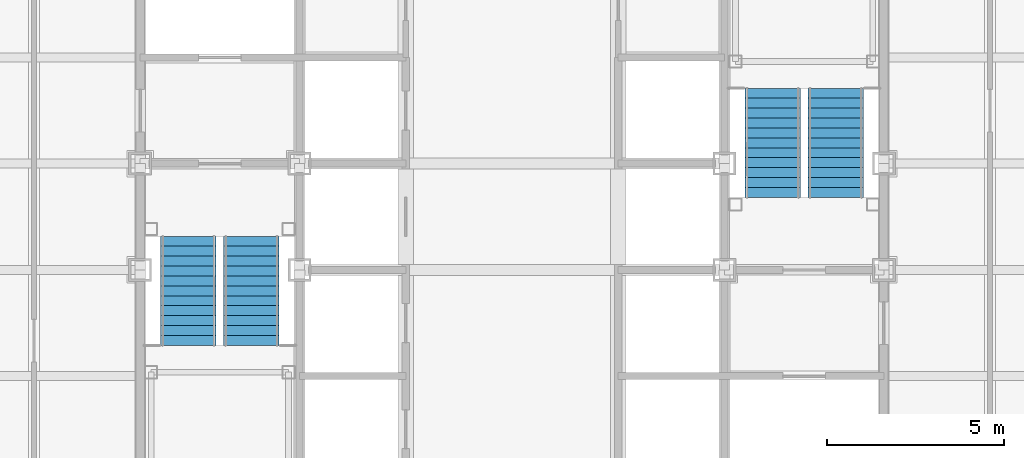
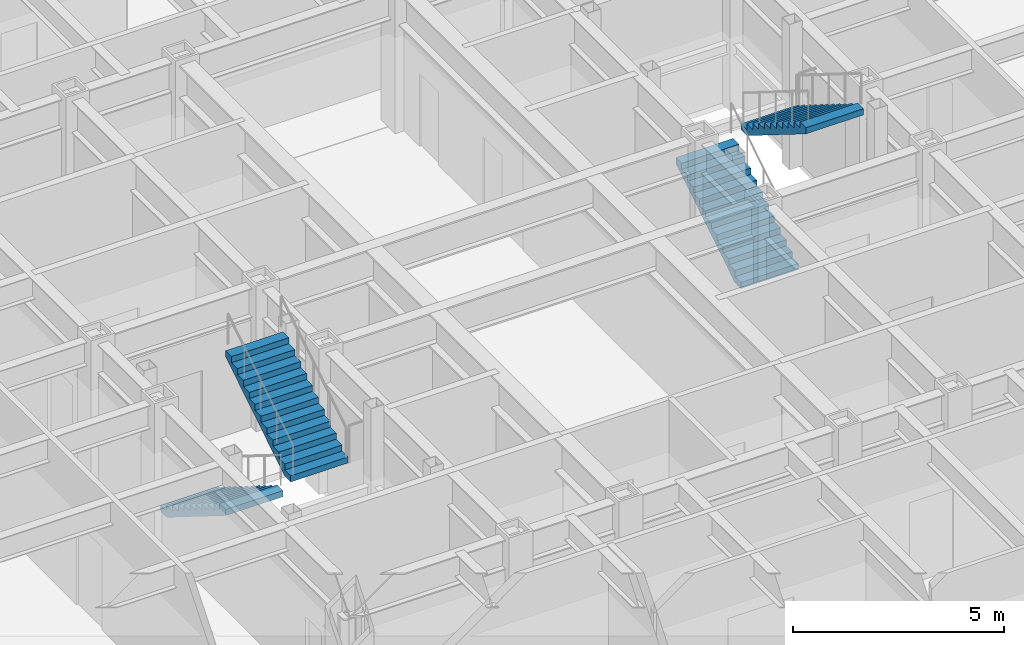
# One storey, part 13 of 16: 4 stair flights, 2 elements without a shape of their own.
"""IFC4 building model written with IfcOpenShell, lengths in metres."""

from ifc_helpers import new_model, si_unit, direction, frame, origin, place, context, subcontext, project, spatial, faceted_brep, material, type_object, element, aggregate, save


model = new_model("IFC4")

# Units and contexts
model_context = context("Model", 3, precision=1e-05, world=origin(), true_north=direction((0.0, 1.0)))
body_context = subcontext(model_context, "Body", "Model", "MODEL_VIEW")
ifc_project = project(units=[si_unit("LENGTHUNIT", "METRE"), si_unit("AREAUNIT", "SQUARE_METRE"), si_unit("VOLUMEUNIT", "CUBIC_METRE"), si_unit("PLANEANGLEUNIT", "RADIAN"), si_unit("MASSUNIT", "GRAM", prefix="KILO")], contexts=[model_context])

# Site, building, storey
site_placement = place(None, origin())
site = spatial("IfcSite", under=ifc_project, at=site_placement, CompositionType="ELEMENT")
building_placement = place(site_placement, origin())
building = spatial("IfcBuilding", under=site, at=building_placement, Name="Chuquiago Exchange Tower", CompositionType="ELEMENT")
storey_placement = place(building_placement, frame((0.0, 0.0, 148.800048828125)))
storey = spatial("IfcBuildingStorey", under=building, at=storey_placement, Name="L32", CompositionType="ELEMENT", Elevation=148.800048828125)

# Stair, stair flights
ifc_material_1 = material(Name="Concrete C30/37, precast", Category="concrete")
stair_type_1 = type_object("IfcStairType", Name="ST1 half-turn stair 4200", PredefinedType="HALF_TURN_STAIR", material=ifc_material_1)
stair_1_placement = place(storey_placement, origin())
stair_1 = element("IfcStair", 1, at=stair_1_placement, inside=storey, type_object=stair_type_1, Name="Stair ST1 L32", PredefinedType="HALF_TURN_STAIR")
ifc_material_2 = material(Name="Concrete C30/37, precast", Category="concrete")
stair_flight_type = type_object("IfcStairFlightType", Name="ST-F flight 1570 for 4200 storey", PredefinedType="STRAIGHT", material=ifc_material_2)
stair_flight_1_placement = place(storey_placement, frame((13.360107421875, 21.949951171875, 0.0), z_axis=(0.0, 0.0, 1.0), x_axis=(0.0, -1.0, 0.0)))
stair_flight_1 = element("IfcStairFlight", 2, at=stair_flight_1_placement, type_object=stair_flight_type, Name="ST1 flight 1", NumberOfRisers=12, NumberOfTreads=11, PredefinedType="STRAIGHT", RiserHeight=0.175, TreadLength=0.28, context=body_context, shape_type="Brep", body=[
    faceted_brep([(0.0, 0.78515625, 0.0), (0.0, 0.78515625, 0.175048828125), (0.280029296875, 0.78515625, 0.175048828125), (0.280029296875, 0.78515625, 0.35009765625), (0.56005859375, 0.78515625, 0.35009765625), (0.56005859375, 0.78515625, 0.52490234375), (0.840087890625, 0.78515625, 0.52490234375), (0.840087890625, 0.78515625, 0.699951171875), (1.1201171875, 0.78515625, 0.699951171875), (1.1201171875, 0.78515625, 0.875), (1.39990234375, 0.78515625, 0.875), (1.39990234375, 0.78515625, 1.050048828125), (1.679931640625, 0.78515625, 1.050048828125), (1.679931640625, 0.78515625, 1.22509765625), (1.9599609375, 0.78515625, 1.22509765625), (1.9599609375, 0.78515625, 1.39990234375), (2.239990234375, 0.78515625, 1.39990234375), (2.239990234375, 0.78515625, 1.574951171875), (2.52001953125, 0.78515625, 1.574951171875), (2.52001953125, 0.78515625, 1.75), (2.800048828125, 0.78515625, 1.75), (2.800048828125, 0.78515625, 1.925048828125), (3.080078125, 0.78515625, 1.925048828125), (3.080078125, 0.78515625, 1.748291015625), (0.28271484375, 0.78515625, 0.0), (0.28271484375, -0.78515625, 0.0), (3.080078125, -0.78515625, 1.748291015625), (3.080078125, -0.78515625, 1.925048828125), (2.800048828125, -0.78515625, 1.925048828125), (2.800048828125, -0.78515625, 1.75), (2.52001953125, -0.78515625, 1.75), (2.52001953125, -0.78515625, 1.574951171875), (2.239990234375, -0.78515625, 1.574951171875), (2.239990234375, -0.78515625, 1.39990234375), (1.9599609375, -0.78515625, 1.39990234375), (1.9599609375, -0.78515625, 1.22509765625), (1.679931640625, -0.78515625, 1.22509765625), (1.679931640625, -0.78515625, 1.050048828125), (1.39990234375, -0.78515625, 1.050048828125), (1.39990234375, -0.78515625, 0.875), (1.1201171875, -0.78515625, 0.875), (1.1201171875, -0.78515625, 0.699951171875), (0.840087890625, -0.78515625, 0.699951171875), (0.840087890625, -0.78515625, 0.52490234375), (0.56005859375, -0.78515625, 0.52490234375), (0.56005859375, -0.78515625, 0.35009765625), (0.280029296875, -0.78515625, 0.35009765625), (0.280029296875, -0.78515625, 0.175048828125), (0.0, -0.78515625, 0.175048828125), (0.0, -0.78515625, 0.0), (0.0, 0.392578125, 0.0), (0.0, 0.392578125, 0.175048828125), (0.0, 0.0, 0.0), (0.0, 0.0, 0.175048828125), (0.0, -0.392578125, 0.0), (0.0, -0.392578125, 0.175048828125), (0.280029296875, 0.392578125, 0.175048828125), (0.280029296875, 0.0, 0.175048828125), (0.280029296875, -0.392578125, 0.175048828125), (0.280029296875, 0.392578125, 0.35009765625), (0.280029296875, 0.0, 0.35009765625), (0.280029296875, -0.392578125, 0.35009765625), (0.56005859375, 0.392578125, 0.35009765625), (0.56005859375, 0.0, 0.35009765625), (0.56005859375, -0.392578125, 0.35009765625), (0.56005859375, 0.392578125, 0.52490234375), (0.56005859375, 0.0, 0.52490234375), (0.56005859375, -0.392578125, 0.52490234375), (0.840087890625, 0.392578125, 0.52490234375), (0.840087890625, 0.0, 0.52490234375), (0.840087890625, -0.392578125, 0.52490234375), (0.840087890625, 0.392578125, 0.699951171875), (0.840087890625, 0.0, 0.699951171875), (0.840087890625, -0.392578125, 0.699951171875), (1.1201171875, 0.392578125, 0.699951171875), (1.1201171875, 0.0, 0.699951171875), (1.1201171875, -0.392578125, 0.699951171875), (1.1201171875, 0.392578125, 0.875), (1.1201171875, 0.0, 0.875), (1.1201171875, -0.392578125, 0.875), (1.39990234375, 0.392578125, 0.875), (1.39990234375, 0.0, 0.875), (1.39990234375, -0.392578125, 0.875), (1.39990234375, 0.392578125, 1.050048828125), (1.39990234375, 0.0, 1.050048828125), (1.39990234375, -0.392578125, 1.050048828125), (1.679931640625, 0.392578125, 1.050048828125), (1.679931640625, 0.0, 1.050048828125), (1.679931640625, -0.392578125, 1.050048828125), (1.679931640625, 0.392578125, 1.22509765625), (1.679931640625, 0.0, 1.22509765625), (1.679931640625, -0.392578125, 1.22509765625), (1.9599609375, 0.392578125, 1.22509765625), (1.9599609375, 0.0, 1.22509765625), (1.9599609375, -0.392578125, 1.22509765625), (1.9599609375, 0.392578125, 1.39990234375), (1.9599609375, 0.0, 1.39990234375), (1.9599609375, -0.392578125, 1.39990234375), (2.239990234375, 0.392578125, 1.39990234375), (2.239990234375, 0.0, 1.39990234375), (2.239990234375, -0.392578125, 1.39990234375), (2.239990234375, 0.392578125, 1.574951171875), (2.239990234375, 0.0, 1.574951171875), (2.239990234375, -0.392578125, 1.574951171875), (2.52001953125, 0.392578125, 1.574951171875), (2.52001953125, 0.0, 1.574951171875), (2.52001953125, -0.392578125, 1.574951171875), (2.52001953125, 0.392578125, 1.75), (2.52001953125, 0.0, 1.75), (2.52001953125, -0.392578125, 1.75), (2.800048828125, 0.392578125, 1.75), (2.800048828125, 0.0, 1.75), (2.800048828125, -0.392578125, 1.75), (2.800048828125, 0.392578125, 1.925048828125), (2.800048828125, 0.0, 1.925048828125), (2.800048828125, -0.392578125, 1.925048828125), (3.080078125, 0.392578125, 1.925048828125), (3.080078125, 0.0, 1.925048828125), (3.080078125, -0.392578125, 1.925048828125), (3.080078125, 0.392578125, 1.748291015625), (3.080078125, 0.0, 1.748291015625), (3.080078125, -0.392578125, 1.748291015625), (0.28271484375, 0.392578125, 0.0), (0.28271484375, 0.0, 0.0), (0.28271484375, -0.392578125, 0.0)], [[[0, 1, 2, 3, 4, 5, 6, 7, 8, 9, 10, 11, 12, 13, 14, 15, 16, 17, 18, 19, 20, 21, 22, 23, 24]], [[25, 26, 27, 28, 29, 30, 31, 32, 33, 34, 35, 36, 37, 38, 39, 40, 41, 42, 43, 44, 45, 46, 47, 48, 49]], [[1, 0, 50, 51]], [[51, 50, 52, 53]], [[53, 52, 54, 55]], [[55, 54, 49, 48]], [[2, 1, 51, 56]], [[56, 51, 53, 57]], [[57, 53, 55, 58]], [[58, 55, 48, 47]], [[3, 2, 56, 59]], [[59, 56, 57, 60]], [[60, 57, 58, 61]], [[61, 58, 47, 46]], [[4, 3, 59, 62]], [[62, 59, 60, 63]], [[63, 60, 61, 64]], [[64, 61, 46, 45]], [[5, 4, 62, 65]], [[65, 62, 63, 66]], [[66, 63, 64, 67]], [[67, 64, 45, 44]], [[6, 5, 65, 68]], [[68, 65, 66, 69]], [[69, 66, 67, 70]], [[70, 67, 44, 43]], [[7, 6, 68, 71]], [[71, 68, 69, 72]], [[72, 69, 70, 73]], [[73, 70, 43, 42]], [[8, 7, 71, 74]], [[74, 71, 72, 75]], [[75, 72, 73, 76]], [[76, 73, 42, 41]], [[9, 8, 74, 77]], [[77, 74, 75, 78]], [[78, 75, 76, 79]], [[79, 76, 41, 40]], [[10, 9, 77, 80]], [[80, 77, 78, 81]], [[81, 78, 79, 82]], [[82, 79, 40, 39]], [[11, 10, 80, 83]], [[83, 80, 81, 84]], [[84, 81, 82, 85]], [[85, 82, 39, 38]], [[12, 11, 83, 86]], [[86, 83, 84, 87]], [[87, 84, 85, 88]], [[88, 85, 38, 37]], [[13, 12, 86, 89]], [[89, 86, 87, 90]], [[90, 87, 88, 91]], [[91, 88, 37, 36]], [[14, 13, 89, 92]], [[92, 89, 90, 93]], [[93, 90, 91, 94]], [[94, 91, 36, 35]], [[15, 14, 92, 95]], [[95, 92, 93, 96]], [[96, 93, 94, 97]], [[97, 94, 35, 34]], [[16, 15, 95, 98]], [[98, 95, 96, 99]], [[99, 96, 97, 100]], [[100, 97, 34, 33]], [[17, 16, 98, 101]], [[101, 98, 99, 102]], [[102, 99, 100, 103]], [[103, 100, 33, 32]], [[18, 17, 101, 104]], [[104, 101, 102, 105]], [[105, 102, 103, 106]], [[106, 103, 32, 31]], [[19, 18, 104, 107]], [[107, 104, 105, 108]], [[108, 105, 106, 109]], [[109, 106, 31, 30]], [[20, 19, 107, 110]], [[110, 107, 108, 111]], [[111, 108, 109, 112]], [[112, 109, 30, 29]], [[21, 20, 110, 113]], [[113, 110, 111, 114]], [[114, 111, 112, 115]], [[115, 112, 29, 28]], [[22, 21, 113, 116]], [[116, 113, 114, 117]], [[117, 114, 115, 118]], [[118, 115, 28, 27]], [[23, 22, 116, 119]], [[119, 116, 117, 120]], [[120, 117, 118, 121]], [[121, 118, 27, 26]], [[24, 23, 119, 122]], [[122, 119, 120, 123]], [[123, 120, 121, 124]], [[124, 121, 26, 25]], [[0, 24, 122, 50]], [[50, 122, 123, 52]], [[52, 123, 124, 54]], [[54, 124, 25, 49]]]),
])
stair_flight_2_placement = place(storey_placement, frame((15.139892578125, 18.8701171875, 2.099853515625), z_axis=(0.0, 0.0, 1.0), x_axis=(0.0, 1.0, 0.0)))
stair_flight_2 = element("IfcStairFlight", 3, at=stair_flight_2_placement, type_object=stair_flight_type, Name="ST1 flight 2", NumberOfRisers=12, NumberOfTreads=11, PredefinedType="STRAIGHT", RiserHeight=0.175, TreadLength=0.28, context=body_context, shape_type="Brep", body=[
    faceted_brep([(0.0, 0.78515625, 0.0), (0.0, 0.78515625, 0.175048828125), (0.280029296875, 0.78515625, 0.175048828125), (0.280029296875, 0.78515625, 0.35009765625), (0.56005859375, 0.78515625, 0.35009765625), (0.56005859375, 0.78515625, 0.52490234375), (0.840087890625, 0.78515625, 0.52490234375), (0.840087890625, 0.78515625, 0.699951171875), (1.1201171875, 0.78515625, 0.699951171875), (1.1201171875, 0.78515625, 0.875), (1.39990234375, 0.78515625, 0.875), (1.39990234375, 0.78515625, 1.050048828125), (1.679931640625, 0.78515625, 1.050048828125), (1.679931640625, 0.78515625, 1.22509765625), (1.9599609375, 0.78515625, 1.22509765625), (1.9599609375, 0.78515625, 1.39990234375), (2.239990234375, 0.78515625, 1.39990234375), (2.239990234375, 0.78515625, 1.574951171875), (2.52001953125, 0.78515625, 1.574951171875), (2.52001953125, 0.78515625, 1.75), (2.800048828125, 0.78515625, 1.75), (2.800048828125, 0.78515625, 1.925048828125), (3.080078125, 0.78515625, 1.925048828125), (3.080078125, 0.78515625, 1.748291015625), (0.28271484375, 0.78515625, 0.0), (0.28271484375, -0.78515625, 0.0), (3.080078125, -0.78515625, 1.748291015625), (3.080078125, -0.78515625, 1.925048828125), (2.800048828125, -0.78515625, 1.925048828125), (2.800048828125, -0.78515625, 1.75), (2.52001953125, -0.78515625, 1.75), (2.52001953125, -0.78515625, 1.574951171875), (2.239990234375, -0.78515625, 1.574951171875), (2.239990234375, -0.78515625, 1.39990234375), (1.9599609375, -0.78515625, 1.39990234375), (1.9599609375, -0.78515625, 1.22509765625), (1.679931640625, -0.78515625, 1.22509765625), (1.679931640625, -0.78515625, 1.050048828125), (1.39990234375, -0.78515625, 1.050048828125), (1.39990234375, -0.78515625, 0.875), (1.1201171875, -0.78515625, 0.875), (1.1201171875, -0.78515625, 0.699951171875), (0.840087890625, -0.78515625, 0.699951171875), (0.840087890625, -0.78515625, 0.52490234375), (0.56005859375, -0.78515625, 0.52490234375), (0.56005859375, -0.78515625, 0.35009765625), (0.280029296875, -0.78515625, 0.35009765625), (0.280029296875, -0.78515625, 0.175048828125), (0.0, -0.78515625, 0.175048828125), (0.0, -0.78515625, 0.0), (0.0, 0.392578125, 0.0), (0.0, 0.392578125, 0.175048828125), (0.0, 0.0, 0.0), (0.0, 0.0, 0.175048828125), (0.0, -0.392578125, 0.0), (0.0, -0.392578125, 0.175048828125), (0.280029296875, 0.392578125, 0.175048828125), (0.280029296875, 0.0, 0.175048828125), (0.280029296875, -0.392578125, 0.175048828125), (0.280029296875, 0.392578125, 0.35009765625), (0.280029296875, 0.0, 0.35009765625), (0.280029296875, -0.392578125, 0.35009765625), (0.56005859375, 0.392578125, 0.35009765625), (0.56005859375, 0.0, 0.35009765625), (0.56005859375, -0.392578125, 0.35009765625), (0.56005859375, 0.392578125, 0.52490234375), (0.56005859375, 0.0, 0.52490234375), (0.56005859375, -0.392578125, 0.52490234375), (0.840087890625, 0.392578125, 0.52490234375), (0.840087890625, 0.0, 0.52490234375), (0.840087890625, -0.392578125, 0.52490234375), (0.840087890625, 0.392578125, 0.699951171875), (0.840087890625, 0.0, 0.699951171875), (0.840087890625, -0.392578125, 0.699951171875), (1.1201171875, 0.392578125, 0.699951171875), (1.1201171875, 0.0, 0.699951171875), (1.1201171875, -0.392578125, 0.699951171875), (1.1201171875, 0.392578125, 0.875), (1.1201171875, 0.0, 0.875), (1.1201171875, -0.392578125, 0.875), (1.39990234375, 0.392578125, 0.875), (1.39990234375, 0.0, 0.875), (1.39990234375, -0.392578125, 0.875), (1.39990234375, 0.392578125, 1.050048828125), (1.39990234375, 0.0, 1.050048828125), (1.39990234375, -0.392578125, 1.050048828125), (1.679931640625, 0.392578125, 1.050048828125), (1.679931640625, 0.0, 1.050048828125), (1.679931640625, -0.392578125, 1.050048828125), (1.679931640625, 0.392578125, 1.22509765625), (1.679931640625, 0.0, 1.22509765625), (1.679931640625, -0.392578125, 1.22509765625), (1.9599609375, 0.392578125, 1.22509765625), (1.9599609375, 0.0, 1.22509765625), (1.9599609375, -0.392578125, 1.22509765625), (1.9599609375, 0.392578125, 1.39990234375), (1.9599609375, 0.0, 1.39990234375), (1.9599609375, -0.392578125, 1.39990234375), (2.239990234375, 0.392578125, 1.39990234375), (2.239990234375, 0.0, 1.39990234375), (2.239990234375, -0.392578125, 1.39990234375), (2.239990234375, 0.392578125, 1.574951171875), (2.239990234375, 0.0, 1.574951171875), (2.239990234375, -0.392578125, 1.574951171875), (2.52001953125, 0.392578125, 1.574951171875), (2.52001953125, 0.0, 1.574951171875), (2.52001953125, -0.392578125, 1.574951171875), (2.52001953125, 0.392578125, 1.75), (2.52001953125, 0.0, 1.75), (2.52001953125, -0.392578125, 1.75), (2.800048828125, 0.392578125, 1.75), (2.800048828125, 0.0, 1.75), (2.800048828125, -0.392578125, 1.75), (2.800048828125, 0.392578125, 1.925048828125), (2.800048828125, 0.0, 1.925048828125), (2.800048828125, -0.392578125, 1.925048828125), (3.080078125, 0.392578125, 1.925048828125), (3.080078125, 0.0, 1.925048828125), (3.080078125, -0.392578125, 1.925048828125), (3.080078125, 0.392578125, 1.748291015625), (3.080078125, 0.0, 1.748291015625), (3.080078125, -0.392578125, 1.748291015625), (0.28271484375, 0.392578125, 0.0), (0.28271484375, 0.0, 0.0), (0.28271484375, -0.392578125, 0.0)], [[[0, 1, 2, 3, 4, 5, 6, 7, 8, 9, 10, 11, 12, 13, 14, 15, 16, 17, 18, 19, 20, 21, 22, 23, 24]], [[25, 26, 27, 28, 29, 30, 31, 32, 33, 34, 35, 36, 37, 38, 39, 40, 41, 42, 43, 44, 45, 46, 47, 48, 49]], [[1, 0, 50, 51]], [[51, 50, 52, 53]], [[53, 52, 54, 55]], [[55, 54, 49, 48]], [[2, 1, 51, 56]], [[56, 51, 53, 57]], [[57, 53, 55, 58]], [[58, 55, 48, 47]], [[3, 2, 56, 59]], [[59, 56, 57, 60]], [[60, 57, 58, 61]], [[61, 58, 47, 46]], [[4, 3, 59, 62]], [[62, 59, 60, 63]], [[63, 60, 61, 64]], [[64, 61, 46, 45]], [[5, 4, 62, 65]], [[65, 62, 63, 66]], [[66, 63, 64, 67]], [[67, 64, 45, 44]], [[6, 5, 65, 68]], [[68, 65, 66, 69]], [[69, 66, 67, 70]], [[70, 67, 44, 43]], [[7, 6, 68, 71]], [[71, 68, 69, 72]], [[72, 69, 70, 73]], [[73, 70, 43, 42]], [[8, 7, 71, 74]], [[74, 71, 72, 75]], [[75, 72, 73, 76]], [[76, 73, 42, 41]], [[9, 8, 74, 77]], [[77, 74, 75, 78]], [[78, 75, 76, 79]], [[79, 76, 41, 40]], [[10, 9, 77, 80]], [[80, 77, 78, 81]], [[81, 78, 79, 82]], [[82, 79, 40, 39]], [[11, 10, 80, 83]], [[83, 80, 81, 84]], [[84, 81, 82, 85]], [[85, 82, 39, 38]], [[12, 11, 83, 86]], [[86, 83, 84, 87]], [[87, 84, 85, 88]], [[88, 85, 38, 37]], [[13, 12, 86, 89]], [[89, 86, 87, 90]], [[90, 87, 88, 91]], [[91, 88, 37, 36]], [[14, 13, 89, 92]], [[92, 89, 90, 93]], [[93, 90, 91, 94]], [[94, 91, 36, 35]], [[15, 14, 92, 95]], [[95, 92, 93, 96]], [[96, 93, 94, 97]], [[97, 94, 35, 34]], [[16, 15, 95, 98]], [[98, 95, 96, 99]], [[99, 96, 97, 100]], [[100, 97, 34, 33]], [[17, 16, 98, 101]], [[101, 98, 99, 102]], [[102, 99, 100, 103]], [[103, 100, 33, 32]], [[18, 17, 101, 104]], [[104, 101, 102, 105]], [[105, 102, 103, 106]], [[106, 103, 32, 31]], [[19, 18, 104, 107]], [[107, 104, 105, 108]], [[108, 105, 106, 109]], [[109, 106, 31, 30]], [[20, 19, 107, 110]], [[110, 107, 108, 111]], [[111, 108, 109, 112]], [[112, 109, 30, 29]], [[21, 20, 110, 113]], [[113, 110, 111, 114]], [[114, 111, 112, 115]], [[115, 112, 29, 28]], [[22, 21, 113, 116]], [[116, 113, 114, 117]], [[117, 114, 115, 118]], [[118, 115, 28, 27]], [[23, 22, 116, 119]], [[119, 116, 117, 120]], [[120, 117, 118, 121]], [[121, 118, 27, 26]], [[24, 23, 119, 122]], [[122, 119, 120, 123]], [[123, 120, 121, 124]], [[124, 121, 26, 25]], [[0, 24, 122, 50]], [[50, 122, 123, 52]], [[52, 123, 124, 54]], [[54, 124, 25, 49]]]),
])
aggregate(stair_1, [stair_flight_1, stair_flight_2])

ifc_material_3 = material(Name="Concrete C30/37, precast", Category="concrete")
stair_type_2 = type_object("IfcStairType", Name="ST2 half-turn stair 4200", PredefinedType="HALF_TURN_STAIR", material=ifc_material_3)
stair_2_placement = place(storey_placement, origin())
stair_2 = element("IfcStair", 4, at=stair_2_placement, inside=storey, type_object=stair_type_2, Name="Stair ST2 L32", PredefinedType="HALF_TURN_STAIR")
stair_flight_3_placement = place(storey_placement, frame((29.860107421875, 23.050048828125, 0.0), z_axis=(0.0, 0.0, 1.0), x_axis=(0.0, 1.0, 0.0)))
stair_flight_3 = element("IfcStairFlight", 5, at=stair_flight_3_placement, type_object=stair_flight_type, Name="ST2 flight 1", NumberOfRisers=12, NumberOfTreads=11, PredefinedType="STRAIGHT", RiserHeight=0.175, TreadLength=0.28, context=body_context, shape_type="Brep", body=[
    faceted_brep([(0.0, 0.78515625, 0.0), (0.0, 0.78515625, 0.175048828125), (0.280029296875, 0.78515625, 0.175048828125), (0.280029296875, 0.78515625, 0.35009765625), (0.56005859375, 0.78515625, 0.35009765625), (0.56005859375, 0.78515625, 0.52490234375), (0.840087890625, 0.78515625, 0.52490234375), (0.840087890625, 0.78515625, 0.699951171875), (1.1201171875, 0.78515625, 0.699951171875), (1.1201171875, 0.78515625, 0.875), (1.39990234375, 0.78515625, 0.875), (1.39990234375, 0.78515625, 1.050048828125), (1.679931640625, 0.78515625, 1.050048828125), (1.679931640625, 0.78515625, 1.22509765625), (1.9599609375, 0.78515625, 1.22509765625), (1.9599609375, 0.78515625, 1.39990234375), (2.239990234375, 0.78515625, 1.39990234375), (2.239990234375, 0.78515625, 1.574951171875), (2.52001953125, 0.78515625, 1.574951171875), (2.52001953125, 0.78515625, 1.75), (2.800048828125, 0.78515625, 1.75), (2.800048828125, 0.78515625, 1.925048828125), (3.080078125, 0.78515625, 1.925048828125), (3.080078125, 0.78515625, 1.748291015625), (0.28271484375, 0.78515625, 0.0), (0.28271484375, -0.78515625, 0.0), (3.080078125, -0.78515625, 1.748291015625), (3.080078125, -0.78515625, 1.925048828125), (2.800048828125, -0.78515625, 1.925048828125), (2.800048828125, -0.78515625, 1.75), (2.52001953125, -0.78515625, 1.75), (2.52001953125, -0.78515625, 1.574951171875), (2.239990234375, -0.78515625, 1.574951171875), (2.239990234375, -0.78515625, 1.39990234375), (1.9599609375, -0.78515625, 1.39990234375), (1.9599609375, -0.78515625, 1.22509765625), (1.679931640625, -0.78515625, 1.22509765625), (1.679931640625, -0.78515625, 1.050048828125), (1.39990234375, -0.78515625, 1.050048828125), (1.39990234375, -0.78515625, 0.875), (1.1201171875, -0.78515625, 0.875), (1.1201171875, -0.78515625, 0.699951171875), (0.840087890625, -0.78515625, 0.699951171875), (0.840087890625, -0.78515625, 0.52490234375), (0.56005859375, -0.78515625, 0.52490234375), (0.56005859375, -0.78515625, 0.35009765625), (0.280029296875, -0.78515625, 0.35009765625), (0.280029296875, -0.78515625, 0.175048828125), (0.0, -0.78515625, 0.175048828125), (0.0, -0.78515625, 0.0), (0.0, 0.392578125, 0.0), (0.0, 0.392578125, 0.175048828125), (0.0, 0.0, 0.0), (0.0, 0.0, 0.175048828125), (0.0, -0.392578125, 0.0), (0.0, -0.392578125, 0.175048828125), (0.280029296875, 0.392578125, 0.175048828125), (0.280029296875, 0.0, 0.175048828125), (0.280029296875, -0.392578125, 0.175048828125), (0.280029296875, 0.392578125, 0.35009765625), (0.280029296875, 0.0, 0.35009765625), (0.280029296875, -0.392578125, 0.35009765625), (0.56005859375, 0.392578125, 0.35009765625), (0.56005859375, 0.0, 0.35009765625), (0.56005859375, -0.392578125, 0.35009765625), (0.56005859375, 0.392578125, 0.52490234375), (0.56005859375, 0.0, 0.52490234375), (0.56005859375, -0.392578125, 0.52490234375), (0.840087890625, 0.392578125, 0.52490234375), (0.840087890625, 0.0, 0.52490234375), (0.840087890625, -0.392578125, 0.52490234375), (0.840087890625, 0.392578125, 0.699951171875), (0.840087890625, 0.0, 0.699951171875), (0.840087890625, -0.392578125, 0.699951171875), (1.1201171875, 0.392578125, 0.699951171875), (1.1201171875, 0.0, 0.699951171875), (1.1201171875, -0.392578125, 0.699951171875), (1.1201171875, 0.392578125, 0.875), (1.1201171875, 0.0, 0.875), (1.1201171875, -0.392578125, 0.875), (1.39990234375, 0.392578125, 0.875), (1.39990234375, 0.0, 0.875), (1.39990234375, -0.392578125, 0.875), (1.39990234375, 0.392578125, 1.050048828125), (1.39990234375, 0.0, 1.050048828125), (1.39990234375, -0.392578125, 1.050048828125), (1.679931640625, 0.392578125, 1.050048828125), (1.679931640625, 0.0, 1.050048828125), (1.679931640625, -0.392578125, 1.050048828125), (1.679931640625, 0.392578125, 1.22509765625), (1.679931640625, 0.0, 1.22509765625), (1.679931640625, -0.392578125, 1.22509765625), (1.9599609375, 0.392578125, 1.22509765625), (1.9599609375, 0.0, 1.22509765625), (1.9599609375, -0.392578125, 1.22509765625), (1.9599609375, 0.392578125, 1.39990234375), (1.9599609375, 0.0, 1.39990234375), (1.9599609375, -0.392578125, 1.39990234375), (2.239990234375, 0.392578125, 1.39990234375), (2.239990234375, 0.0, 1.39990234375), (2.239990234375, -0.392578125, 1.39990234375), (2.239990234375, 0.392578125, 1.574951171875), (2.239990234375, 0.0, 1.574951171875), (2.239990234375, -0.392578125, 1.574951171875), (2.52001953125, 0.392578125, 1.574951171875), (2.52001953125, 0.0, 1.574951171875), (2.52001953125, -0.392578125, 1.574951171875), (2.52001953125, 0.392578125, 1.75), (2.52001953125, 0.0, 1.75), (2.52001953125, -0.392578125, 1.75), (2.800048828125, 0.392578125, 1.75), (2.800048828125, 0.0, 1.75), (2.800048828125, -0.392578125, 1.75), (2.800048828125, 0.392578125, 1.925048828125), (2.800048828125, 0.0, 1.925048828125), (2.800048828125, -0.392578125, 1.925048828125), (3.080078125, 0.392578125, 1.925048828125), (3.080078125, 0.0, 1.925048828125), (3.080078125, -0.392578125, 1.925048828125), (3.080078125, 0.392578125, 1.748291015625), (3.080078125, 0.0, 1.748291015625), (3.080078125, -0.392578125, 1.748291015625), (0.28271484375, 0.392578125, 0.0), (0.28271484375, 0.0, 0.0), (0.28271484375, -0.392578125, 0.0)], [[[0, 1, 2, 3, 4, 5, 6, 7, 8, 9, 10, 11, 12, 13, 14, 15, 16, 17, 18, 19, 20, 21, 22, 23, 24]], [[25, 26, 27, 28, 29, 30, 31, 32, 33, 34, 35, 36, 37, 38, 39, 40, 41, 42, 43, 44, 45, 46, 47, 48, 49]], [[1, 0, 50, 51]], [[51, 50, 52, 53]], [[53, 52, 54, 55]], [[55, 54, 49, 48]], [[2, 1, 51, 56]], [[56, 51, 53, 57]], [[57, 53, 55, 58]], [[58, 55, 48, 47]], [[3, 2, 56, 59]], [[59, 56, 57, 60]], [[60, 57, 58, 61]], [[61, 58, 47, 46]], [[4, 3, 59, 62]], [[62, 59, 60, 63]], [[63, 60, 61, 64]], [[64, 61, 46, 45]], [[5, 4, 62, 65]], [[65, 62, 63, 66]], [[66, 63, 64, 67]], [[67, 64, 45, 44]], [[6, 5, 65, 68]], [[68, 65, 66, 69]], [[69, 66, 67, 70]], [[70, 67, 44, 43]], [[7, 6, 68, 71]], [[71, 68, 69, 72]], [[72, 69, 70, 73]], [[73, 70, 43, 42]], [[8, 7, 71, 74]], [[74, 71, 72, 75]], [[75, 72, 73, 76]], [[76, 73, 42, 41]], [[9, 8, 74, 77]], [[77, 74, 75, 78]], [[78, 75, 76, 79]], [[79, 76, 41, 40]], [[10, 9, 77, 80]], [[80, 77, 78, 81]], [[81, 78, 79, 82]], [[82, 79, 40, 39]], [[11, 10, 80, 83]], [[83, 80, 81, 84]], [[84, 81, 82, 85]], [[85, 82, 39, 38]], [[12, 11, 83, 86]], [[86, 83, 84, 87]], [[87, 84, 85, 88]], [[88, 85, 38, 37]], [[13, 12, 86, 89]], [[89, 86, 87, 90]], [[90, 87, 88, 91]], [[91, 88, 37, 36]], [[14, 13, 89, 92]], [[92, 89, 90, 93]], [[93, 90, 91, 94]], [[94, 91, 36, 35]], [[15, 14, 92, 95]], [[95, 92, 93, 96]], [[96, 93, 94, 97]], [[97, 94, 35, 34]], [[16, 15, 95, 98]], [[98, 95, 96, 99]], [[99, 96, 97, 100]], [[100, 97, 34, 33]], [[17, 16, 98, 101]], [[101, 98, 99, 102]], [[102, 99, 100, 103]], [[103, 100, 33, 32]], [[18, 17, 101, 104]], [[104, 101, 102, 105]], [[105, 102, 103, 106]], [[106, 103, 32, 31]], [[19, 18, 104, 107]], [[107, 104, 105, 108]], [[108, 105, 106, 109]], [[109, 106, 31, 30]], [[20, 19, 107, 110]], [[110, 107, 108, 111]], [[111, 108, 109, 112]], [[112, 109, 30, 29]], [[21, 20, 110, 113]], [[113, 110, 111, 114]], [[114, 111, 112, 115]], [[115, 112, 29, 28]], [[22, 21, 113, 116]], [[116, 113, 114, 117]], [[117, 114, 115, 118]], [[118, 115, 28, 27]], [[23, 22, 116, 119]], [[119, 116, 117, 120]], [[120, 117, 118, 121]], [[121, 118, 27, 26]], [[24, 23, 119, 122]], [[122, 119, 120, 123]], [[123, 120, 121, 124]], [[124, 121, 26, 25]], [[0, 24, 122, 50]], [[50, 122, 123, 52]], [[52, 123, 124, 54]], [[54, 124, 25, 49]]]),
])
stair_flight_4_placement = place(storey_placement, frame((31.639892578125, 26.1298828125, 2.099853515625), z_axis=(0.0, 0.0, 1.0), x_axis=(0.0, -1.0, 0.0)))
stair_flight_4 = element("IfcStairFlight", 6, at=stair_flight_4_placement, type_object=stair_flight_type, Name="ST2 flight 2", NumberOfRisers=12, NumberOfTreads=11, PredefinedType="STRAIGHT", RiserHeight=0.175, TreadLength=0.28, context=body_context, shape_type="Brep", body=[
    faceted_brep([(0.0, 0.78515625, 0.0), (0.0, 0.78515625, 0.175048828125), (0.280029296875, 0.78515625, 0.175048828125), (0.280029296875, 0.78515625, 0.35009765625), (0.56005859375, 0.78515625, 0.35009765625), (0.56005859375, 0.78515625, 0.52490234375), (0.840087890625, 0.78515625, 0.52490234375), (0.840087890625, 0.78515625, 0.699951171875), (1.1201171875, 0.78515625, 0.699951171875), (1.1201171875, 0.78515625, 0.875), (1.39990234375, 0.78515625, 0.875), (1.39990234375, 0.78515625, 1.050048828125), (1.679931640625, 0.78515625, 1.050048828125), (1.679931640625, 0.78515625, 1.22509765625), (1.9599609375, 0.78515625, 1.22509765625), (1.9599609375, 0.78515625, 1.39990234375), (2.239990234375, 0.78515625, 1.39990234375), (2.239990234375, 0.78515625, 1.574951171875), (2.52001953125, 0.78515625, 1.574951171875), (2.52001953125, 0.78515625, 1.75), (2.800048828125, 0.78515625, 1.75), (2.800048828125, 0.78515625, 1.925048828125), (3.080078125, 0.78515625, 1.925048828125), (3.080078125, 0.78515625, 1.748291015625), (0.28271484375, 0.78515625, 0.0), (0.28271484375, -0.78515625, 0.0), (3.080078125, -0.78515625, 1.748291015625), (3.080078125, -0.78515625, 1.925048828125), (2.800048828125, -0.78515625, 1.925048828125), (2.800048828125, -0.78515625, 1.75), (2.52001953125, -0.78515625, 1.75), (2.52001953125, -0.78515625, 1.574951171875), (2.239990234375, -0.78515625, 1.574951171875), (2.239990234375, -0.78515625, 1.39990234375), (1.9599609375, -0.78515625, 1.39990234375), (1.9599609375, -0.78515625, 1.22509765625), (1.679931640625, -0.78515625, 1.22509765625), (1.679931640625, -0.78515625, 1.050048828125), (1.39990234375, -0.78515625, 1.050048828125), (1.39990234375, -0.78515625, 0.875), (1.1201171875, -0.78515625, 0.875), (1.1201171875, -0.78515625, 0.699951171875), (0.840087890625, -0.78515625, 0.699951171875), (0.840087890625, -0.78515625, 0.52490234375), (0.56005859375, -0.78515625, 0.52490234375), (0.56005859375, -0.78515625, 0.35009765625), (0.280029296875, -0.78515625, 0.35009765625), (0.280029296875, -0.78515625, 0.175048828125), (0.0, -0.78515625, 0.175048828125), (0.0, -0.78515625, 0.0), (0.0, 0.392578125, 0.0), (0.0, 0.392578125, 0.175048828125), (0.0, 0.0, 0.0), (0.0, 0.0, 0.175048828125), (0.0, -0.392578125, 0.0), (0.0, -0.392578125, 0.175048828125), (0.280029296875, 0.392578125, 0.175048828125), (0.280029296875, 0.0, 0.175048828125), (0.280029296875, -0.392578125, 0.175048828125), (0.280029296875, 0.392578125, 0.35009765625), (0.280029296875, 0.0, 0.35009765625), (0.280029296875, -0.392578125, 0.35009765625), (0.56005859375, 0.392578125, 0.35009765625), (0.56005859375, 0.0, 0.35009765625), (0.56005859375, -0.392578125, 0.35009765625), (0.56005859375, 0.392578125, 0.52490234375), (0.56005859375, 0.0, 0.52490234375), (0.56005859375, -0.392578125, 0.52490234375), (0.840087890625, 0.392578125, 0.52490234375), (0.840087890625, 0.0, 0.52490234375), (0.840087890625, -0.392578125, 0.52490234375), (0.840087890625, 0.392578125, 0.699951171875), (0.840087890625, 0.0, 0.699951171875), (0.840087890625, -0.392578125, 0.699951171875), (1.1201171875, 0.392578125, 0.699951171875), (1.1201171875, 0.0, 0.699951171875), (1.1201171875, -0.392578125, 0.699951171875), (1.1201171875, 0.392578125, 0.875), (1.1201171875, 0.0, 0.875), (1.1201171875, -0.392578125, 0.875), (1.39990234375, 0.392578125, 0.875), (1.39990234375, 0.0, 0.875), (1.39990234375, -0.392578125, 0.875), (1.39990234375, 0.392578125, 1.050048828125), (1.39990234375, 0.0, 1.050048828125), (1.39990234375, -0.392578125, 1.050048828125), (1.679931640625, 0.392578125, 1.050048828125), (1.679931640625, 0.0, 1.050048828125), (1.679931640625, -0.392578125, 1.050048828125), (1.679931640625, 0.392578125, 1.22509765625), (1.679931640625, 0.0, 1.22509765625), (1.679931640625, -0.392578125, 1.22509765625), (1.9599609375, 0.392578125, 1.22509765625), (1.9599609375, 0.0, 1.22509765625), (1.9599609375, -0.392578125, 1.22509765625), (1.9599609375, 0.392578125, 1.39990234375), (1.9599609375, 0.0, 1.39990234375), (1.9599609375, -0.392578125, 1.39990234375), (2.239990234375, 0.392578125, 1.39990234375), (2.239990234375, 0.0, 1.39990234375), (2.239990234375, -0.392578125, 1.39990234375), (2.239990234375, 0.392578125, 1.574951171875), (2.239990234375, 0.0, 1.574951171875), (2.239990234375, -0.392578125, 1.574951171875), (2.52001953125, 0.392578125, 1.574951171875), (2.52001953125, 0.0, 1.574951171875), (2.52001953125, -0.392578125, 1.574951171875), (2.52001953125, 0.392578125, 1.75), (2.52001953125, 0.0, 1.75), (2.52001953125, -0.392578125, 1.75), (2.800048828125, 0.392578125, 1.75), (2.800048828125, 0.0, 1.75), (2.800048828125, -0.392578125, 1.75), (2.800048828125, 0.392578125, 1.925048828125), (2.800048828125, 0.0, 1.925048828125), (2.800048828125, -0.392578125, 1.925048828125), (3.080078125, 0.392578125, 1.925048828125), (3.080078125, 0.0, 1.925048828125), (3.080078125, -0.392578125, 1.925048828125), (3.080078125, 0.392578125, 1.748291015625), (3.080078125, 0.0, 1.748291015625), (3.080078125, -0.392578125, 1.748291015625), (0.28271484375, 0.392578125, 0.0), (0.28271484375, 0.0, 0.0), (0.28271484375, -0.392578125, 0.0)], [[[0, 1, 2, 3, 4, 5, 6, 7, 8, 9, 10, 11, 12, 13, 14, 15, 16, 17, 18, 19, 20, 21, 22, 23, 24]], [[25, 26, 27, 28, 29, 30, 31, 32, 33, 34, 35, 36, 37, 38, 39, 40, 41, 42, 43, 44, 45, 46, 47, 48, 49]], [[1, 0, 50, 51]], [[51, 50, 52, 53]], [[53, 52, 54, 55]], [[55, 54, 49, 48]], [[2, 1, 51, 56]], [[56, 51, 53, 57]], [[57, 53, 55, 58]], [[58, 55, 48, 47]], [[3, 2, 56, 59]], [[59, 56, 57, 60]], [[60, 57, 58, 61]], [[61, 58, 47, 46]], [[4, 3, 59, 62]], [[62, 59, 60, 63]], [[63, 60, 61, 64]], [[64, 61, 46, 45]], [[5, 4, 62, 65]], [[65, 62, 63, 66]], [[66, 63, 64, 67]], [[67, 64, 45, 44]], [[6, 5, 65, 68]], [[68, 65, 66, 69]], [[69, 66, 67, 70]], [[70, 67, 44, 43]], [[7, 6, 68, 71]], [[71, 68, 69, 72]], [[72, 69, 70, 73]], [[73, 70, 43, 42]], [[8, 7, 71, 74]], [[74, 71, 72, 75]], [[75, 72, 73, 76]], [[76, 73, 42, 41]], [[9, 8, 74, 77]], [[77, 74, 75, 78]], [[78, 75, 76, 79]], [[79, 76, 41, 40]], [[10, 9, 77, 80]], [[80, 77, 78, 81]], [[81, 78, 79, 82]], [[82, 79, 40, 39]], [[11, 10, 80, 83]], [[83, 80, 81, 84]], [[84, 81, 82, 85]], [[85, 82, 39, 38]], [[12, 11, 83, 86]], [[86, 83, 84, 87]], [[87, 84, 85, 88]], [[88, 85, 38, 37]], [[13, 12, 86, 89]], [[89, 86, 87, 90]], [[90, 87, 88, 91]], [[91, 88, 37, 36]], [[14, 13, 89, 92]], [[92, 89, 90, 93]], [[93, 90, 91, 94]], [[94, 91, 36, 35]], [[15, 14, 92, 95]], [[95, 92, 93, 96]], [[96, 93, 94, 97]], [[97, 94, 35, 34]], [[16, 15, 95, 98]], [[98, 95, 96, 99]], [[99, 96, 97, 100]], [[100, 97, 34, 33]], [[17, 16, 98, 101]], [[101, 98, 99, 102]], [[102, 99, 100, 103]], [[103, 100, 33, 32]], [[18, 17, 101, 104]], [[104, 101, 102, 105]], [[105, 102, 103, 106]], [[106, 103, 32, 31]], [[19, 18, 104, 107]], [[107, 104, 105, 108]], [[108, 105, 106, 109]], [[109, 106, 31, 30]], [[20, 19, 107, 110]], [[110, 107, 108, 111]], [[111, 108, 109, 112]], [[112, 109, 30, 29]], [[21, 20, 110, 113]], [[113, 110, 111, 114]], [[114, 111, 112, 115]], [[115, 112, 29, 28]], [[22, 21, 113, 116]], [[116, 113, 114, 117]], [[117, 114, 115, 118]], [[118, 115, 28, 27]], [[23, 22, 116, 119]], [[119, 116, 117, 120]], [[120, 117, 118, 121]], [[121, 118, 27, 26]], [[24, 23, 119, 122]], [[122, 119, 120, 123]], [[123, 120, 121, 124]], [[124, 121, 26, 25]], [[0, 24, 122, 50]], [[50, 122, 123, 52]], [[52, 123, 124, 54]], [[54, 124, 25, 49]]]),
])
aggregate(stair_2, [stair_flight_3, stair_flight_4])

save(model, "model.ifc")
